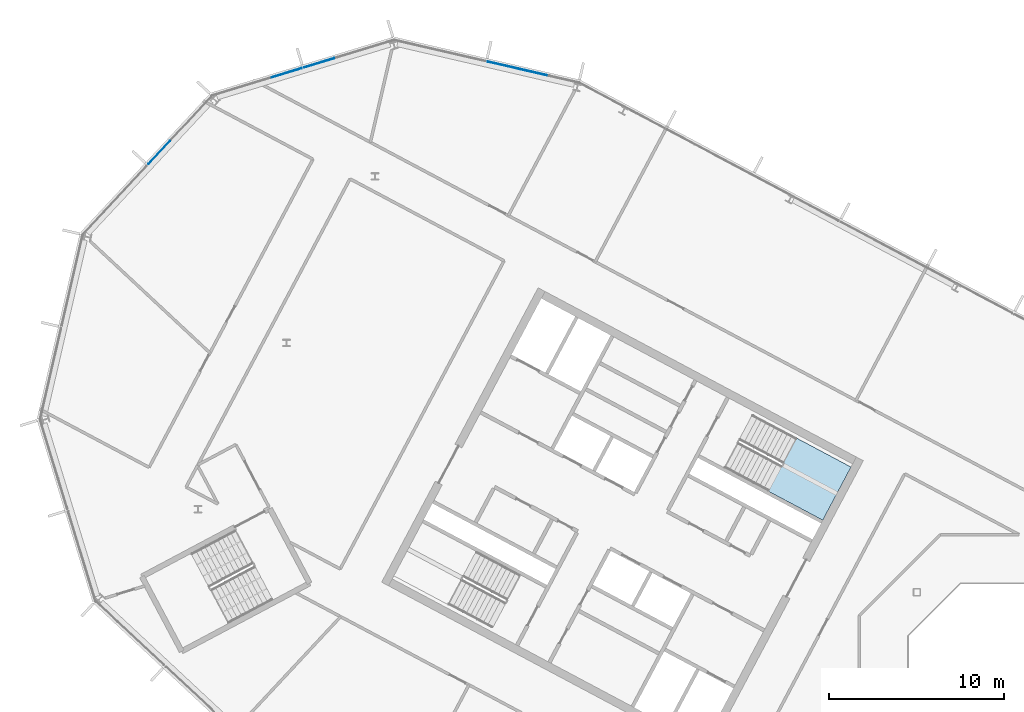
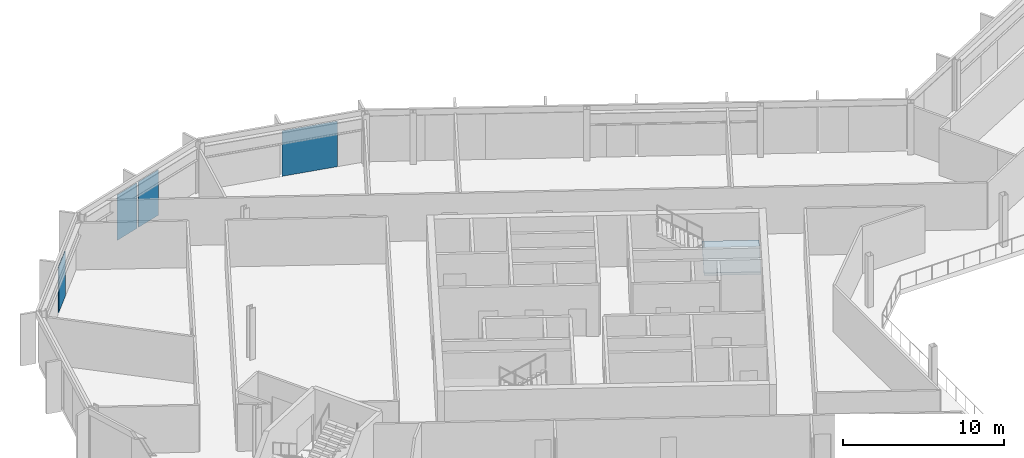
# One storey, part 11 of 26: 4 plates, 1 slab, 4 elements without a shape of their own.
"""IFC4 building model written with IfcOpenShell, lengths in metres."""

from ifc_helpers import new_model, si_unit, direction, frame, origin, origin_2d, place, context, subcontext, project, spatial, polyline, rectangle, outline, extrude, material, layer, layer_set, type_object, element, aggregate, save


model = new_model("IFC4")

# Units and contexts
model_context = context("Model", 3, precision=1e-05, world=origin(), true_north=direction((0.0, 1.0)))
body_context = subcontext(model_context, "Body", "Model", "MODEL_VIEW")
ifc_project = project(units=[si_unit("LENGTHUNIT", "METRE"), si_unit("AREAUNIT", "SQUARE_METRE"), si_unit("VOLUMEUNIT", "CUBIC_METRE"), si_unit("PLANEANGLEUNIT", "RADIAN"), si_unit("MASSUNIT", "GRAM", prefix="KILO")], contexts=[model_context])

# Site, building, storey
site_placement = place(None, origin())
site = spatial("IfcSite", under=ifc_project, at=site_placement, CompositionType="ELEMENT")
building_placement = place(site_placement, origin())
building = spatial("IfcBuilding", under=site, at=building_placement, Name="Cormorant Relay Tower", CompositionType="ELEMENT")
storey_placement = place(building_placement, frame((0.0, 0.0, 304.800048828125)))
storey = spatial("IfcBuildingStorey", under=building, at=storey_placement, Name="L69", CompositionType="ELEMENT", Elevation=304.800048828125)

# Curtain wall, plates
ifc_material_1 = material(Name="Aluminium 6063-T6 anodised bronze", Category="aluminium")
ifc_layer_1 = layer(ifc_material_1, 0.199951171875)
ifc_layer_set_1 = layer_set([ifc_layer_1], Name="CW1 unitised bronze curtain wall with vertical fins")
curtain_wall_type = type_object("IfcCurtainWallType", Name="CW1 unitised bronze curtain wall with vertical fins", PredefinedType="NOTDEFINED", material=ifc_layer_set_1)
curtain_wall_1_placement = place(storey_placement, origin())
curtain_wall_1 = element("IfcCurtainWall", 1, at=curtain_wall_1_placement, inside=storey, type_object=curtain_wall_type, Name="CW1 curtain wall 11", PredefinedType="NOTDEFINED")
ifc_material_2 = material(Name="Tinted laminated glass", Category="glass")
ifc_layer_2 = layer(ifc_material_2, 0.0400390625)
ifc_layer_set_2 = layer_set([ifc_layer_2], Name="CW1 tinted vision panel 1800 module")
plate_type_1 = type_object("IfcPlateType", Name="CW1 tinted vision panel 1800 module", PredefinedType="CURTAIN_PANEL", material=ifc_layer_set_2)
plate_1_placement = place(storey_placement, frame((-44.73681640625, 40.82861328125, 0.0), z_axis=(0.0, 0.0, 1.0), x_axis=(-0.956304755963, -0.292371704723, 0.0)))
plate_1 = element("IfcPlate", 2, at=plate_1_placement, type_object=plate_type_1, Name="CW1 panel V01", PredefinedType="CURTAIN_PANEL", context=body_context, shape_type="SweptSolid", body=[
    extrude(rectangle(XDim=1.800048828125, YDim=0.0400390625, at=origin_2d()), origin(), (0.0, 0.0, 1.0), 3.449951171875),
])
plate_2_placement = place(storey_placement, frame((-46.6015625, 40.25830078125, 0.0), z_axis=(0.0, 0.0, 1.0), x_axis=(-0.956304755963, -0.292371704723, 0.0)))
plate_2 = element("IfcPlate", 3, at=plate_2_placement, type_object=plate_type_1, Name="CW1 panel V02", PredefinedType="CURTAIN_PANEL", context=body_context, shape_type="SweptSolid", body=[
    extrude(rectangle(XDim=1.800048828125, YDim=0.0400390625, at=origin_2d()), origin(), (0.0, 0.0, 1.0), 3.449951171875),
])
aggregate(curtain_wall_1, [plate_1, plate_2])

# Curtain wall, plate
curtain_wall_2_placement = place(storey_placement, origin())
curtain_wall_2 = element("IfcCurtainWall", 4, at=curtain_wall_2_placement, inside=storey, type_object=curtain_wall_type, Name="CW1 curtain wall 12", PredefinedType="NOTDEFINED")
plate_3_placement = place(storey_placement, frame((-53.91748046875, 35.68701171875, 0.0), z_axis=(0.0, 0.0, 1.0), x_axis=(-0.681998360062, -0.731353701619, 0.0)))
plate_3 = element("IfcPlate", 5, at=plate_3_placement, type_object=plate_type_1, Name="CW1 panel V01", PredefinedType="CURTAIN_PANEL", context=body_context, shape_type="SweptSolid", body=[
    extrude(rectangle(XDim=1.800048828125, YDim=0.0400390625, at=origin_2d()), origin(), (0.0, 0.0, 1.0), 3.449951171875),
])
aggregate(curtain_wall_2, [plate_3])

curtain_wall_3_placement = place(storey_placement, origin())
curtain_wall_3 = element("IfcCurtainWall", 6, at=curtain_wall_3_placement, inside=storey, type_object=curtain_wall_type, Name="CW1 curtain wall 10", PredefinedType="NOTDEFINED")
ifc_material_3 = material(Name="Tinted laminated glass", Category="glass")
ifc_layer_3 = layer(ifc_material_3, 0.0400390625)
ifc_layer_set_3 = layer_set([ifc_layer_3], Name="CW1 tinted vision panel 3600 module")
plate_type_2 = type_object("IfcPlateType", Name="CW1 tinted vision panel 3600 module", PredefinedType="CURTAIN_PANEL", material=ifc_layer_set_3)
plate_4_placement = place(storey_placement, frame((-33.338134765625, 40.488525390625, 0.0), z_axis=(0.0, 0.0, 1.0), x_axis=(-0.974370064785, 0.224951054344, 0.0)))
plate_4 = element("IfcPlate", 7, at=plate_4_placement, type_object=plate_type_2, Name="CW1 panel V01", PredefinedType="CURTAIN_PANEL", context=body_context, shape_type="SweptSolid", body=[
    extrude(rectangle(XDim=3.60009765625, YDim=0.0400390625, at=origin_2d()), origin(), (0.0, 0.0, 1.0), 3.449951171875),
])
aggregate(curtain_wall_3, [plate_4])

# Stair, slab
ifc_material_4 = material(Name="Concrete 40 MPa", Category="concrete")
stair_type = type_object("IfcStairType", Name="Exit stair 1500", PredefinedType="HALF_TURN_STAIR", material=ifc_material_4)
stair_placement = place(storey_placement, origin())
stair = element("IfcStair", 8, at=stair_placement, inside=storey, type_object=stair_type, Name="L69 Stair", PredefinedType="HALF_TURN_STAIR")
ifc_material_5 = material(Name="Concrete 40 MPa", Category="concrete")
ifc_layer_4 = layer(ifc_material_5, 0.199951171875)
ifc_layer_set_4 = layer_set([ifc_layer_4], Name="Exit stair landing 200")
slab_type = type_object("IfcSlabType", Name="Exit stair landing 200", PredefinedType="LANDING", material=ifc_layer_set_4)
slab_placement = place(storey_placement, frame((0.0, 0.0, 1.75)))
slab = element("IfcSlab", 9, at=slab_placement, type_object=slab_type, Name="A1 landing 1", PredefinedType="LANDING", context=body_context, shape_type="SweptSolid", body=[
    extrude(outline(polyline([(-19.029541015625, 16.29052734375), (-15.89501953125, 14.6240234375), (-14.275390625, 17.670166015625), (-17.40966796875, 19.3369140625), (-19.029541015625, 16.29052734375)])), origin(), (0.0, 0.0, 1.0), 0.199951171875),
])
aggregate(stair, [slab])

save(model, "model.ifc")
